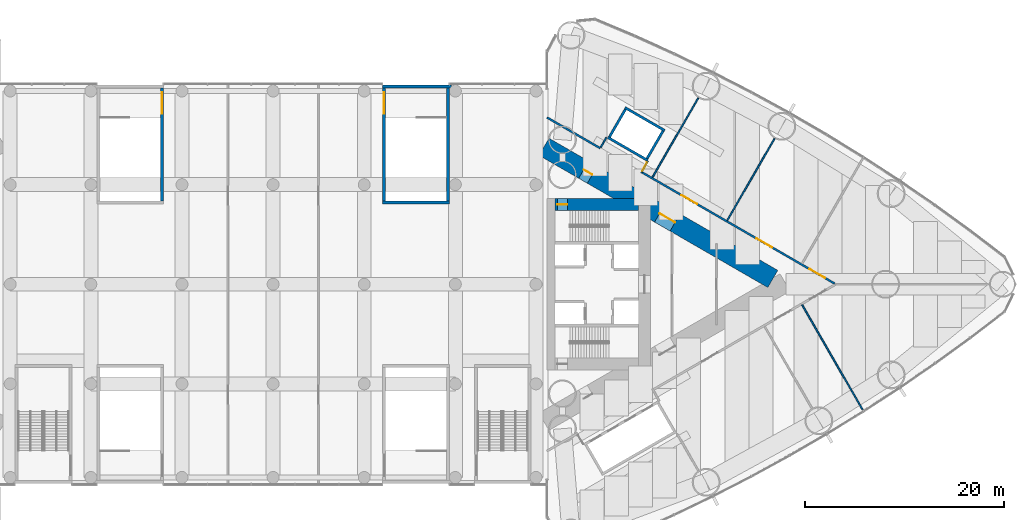
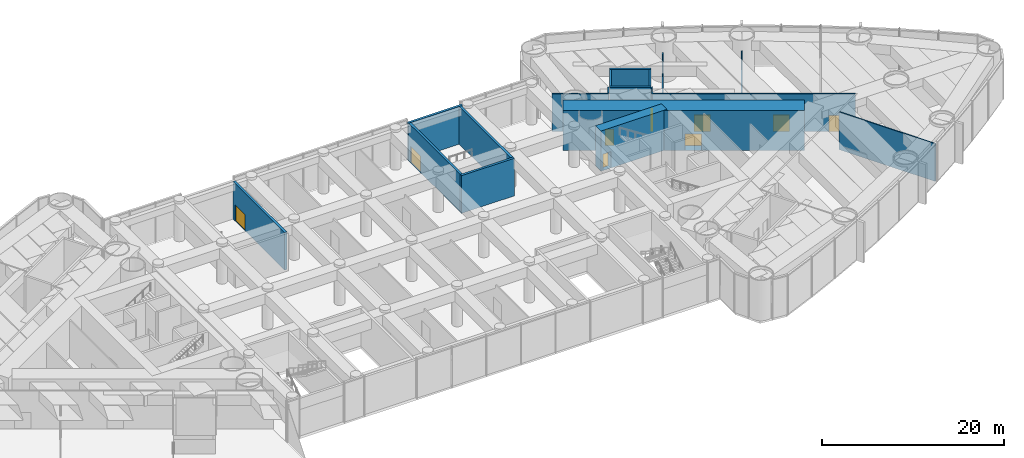
# One storey, part 18 of 20: 18 walls, 9 doors, 9 openings.
"""IFC4 building model written with IfcOpenShell, lengths in metres."""

from ifc_helpers import new_model, si_unit, direction, frame, frame_2d, origin, place, context, subcontext, project, spatial, rectangle, extrude, material, layer, layer_set, type_object, element, fill, save


model = new_model("IFC4")

# Units and contexts
model_context = context("Model", 3, precision=1e-05, world=origin(), true_north=direction((0.0, 1.0)))
body_context = subcontext(model_context, "Body", "Model", "MODEL_VIEW")
ifc_project = project(units=[si_unit("LENGTHUNIT", "METRE"), si_unit("AREAUNIT", "SQUARE_METRE"), si_unit("VOLUMEUNIT", "CUBIC_METRE"), si_unit("PLANEANGLEUNIT", "RADIAN"), si_unit("MASSUNIT", "GRAM", prefix="KILO")], contexts=[model_context])

# Site, building, storey
site_placement = place(None, origin())
site = spatial("IfcSite", under=ifc_project, at=site_placement, CompositionType="ELEMENT")
building_placement = place(site_placement, origin())
building = spatial("IfcBuilding", under=site, at=building_placement, Name="Lancet Gate Hotel", CompositionType="ELEMENT")
storey_placement = place(building_placement, frame((0.0, 0.0, 7.199951171875)))
storey = spatial("IfcBuildingStorey", under=building, at=storey_placement, Name="L01", CompositionType="ELEMENT", Elevation=7.199951171875)

# Wall, openings, doors
ifc_material_1 = material(Name="Concrete C70/85", Category="concrete")
ifc_layer_1 = layer(ifc_material_1, 2.0)
ifc_layer_set_1 = layer_set([ifc_layer_1], Name="Buttress wall 2000")
wall_type_1 = type_object("IfcWallType", Name="Buttress wall 2000", PredefinedType="SHEAR", material=ifc_layer_set_1)
wall_1_placement = place(storey_placement, frame((27.199951171875, 13.800048828125, 0.0), z_axis=(0.0, 0.0, 1.0), x_axis=(0.866024545924, -0.500001485854, 0.0)))
wall_1 = element("IfcWall", 1, at=wall_1_placement, inside=storey, type_object=wall_type_1, Name="T2 buttress wall N L01", PredefinedType="SHEAR", context=body_context, shape_type="SweptSolid", body=[
    extrude(rectangle(XDim=26.53369140625, YDim=2.0, at=frame_2d((13.266845703125, 0.0))), origin(), (0.0, 0.0, 1.0), 5.400146484375),
])
opening_1_placement = place(wall_1_placement, frame((4.60009765625, 0.0, 0.0)))
opening_1 = element("IfcOpeningElement", 2, at=opening_1_placement, cuts=wall_1, Name="Opening T2-L01-LN", PredefinedType="OPENING", context=body_context, shape_type="SweptSolid", body=[
    extrude(rectangle(XDim=1.0, YDim=2.199951171875, at=frame_2d((0.5, 1.10009765625))), frame((0.0, 1.010009765625, 0.0), z_axis=(0.0, -1.0, 0.0), x_axis=(1.0, 0.0, 0.0)), (0.0, 0.0, 1.0), 2.02001953125),
])
opening_2_placement = place(wall_1_placement, frame((13.39453125, 0.0, 0.0)))
opening_2 = element("IfcOpeningElement", 3, at=opening_2_placement, cuts=wall_1, Name="Opening T2-L01-LHN", PredefinedType="OPENING", context=body_context, shape_type="SweptSolid", body=[
    extrude(rectangle(XDim=1.800048828125, YDim=2.199951171875, at=frame_2d((0.89990234375, 1.10009765625))), frame((0.0, 1.010009765625, 0.0), z_axis=(0.0, -1.0, 0.0), x_axis=(1.0, 0.0, 0.0)), (0.0, 0.0, 1.0), 2.02001953125),
])
ifc_material_2 = material(Name="Timber door set", Category="wood")
door_type_1 = type_object("IfcDoorType", Name="Lobby double door 1800", OperationType="DOUBLE_DOOR_SINGLE_SWING", PredefinedType="DOOR", material=ifc_material_2)
door_1_placement = place(opening_2_placement, origin())
door_1 = element("IfcDoor", 4, at=door_1_placement, inside=storey, type_object=door_type_1, Name="T2-L01-LHN", OperationType="DOUBLE_DOOR_SINGLE_SWING", OverallHeight=2.199951171875, OverallWidth=1.800048828125, PredefinedType="DOOR", context=body_context, shape_type="SweptSolid", body=[
    extrude(rectangle(XDim=1.800048828125, YDim=2.199951171875, at=frame_2d((0.89990234375, 1.10009765625))), frame((0.0, 0.02490234375, 0.0), z_axis=(0.0, -1.0, 0.0), x_axis=(1.0, 0.0, 0.0)), (0.0, 0.0, 1.0), 0.050048828125),
])
fill(opening_2, door_1)
ifc_material_3 = material(Name="Timber door set", Category="wood")
door_type_2 = type_object("IfcDoorType", Name="Stair lobby door 1000", OperationType="SINGLE_SWING_LEFT", PredefinedType="DOOR", material=ifc_material_3)
door_2_placement = place(opening_1_placement, origin())
door_2 = element("IfcDoor", 5, at=door_2_placement, inside=storey, type_object=door_type_2, Name="T2-L01-LN", OperationType="SINGLE_SWING_LEFT", OverallHeight=2.199951171875, OverallWidth=1.0, PredefinedType="DOOR", context=body_context, shape_type="SweptSolid", body=[
    extrude(rectangle(XDim=1.0, YDim=2.199951171875, at=frame_2d((0.5, 1.10009765625))), frame((0.0, 0.02490234375, 0.0), z_axis=(0.0, -1.0, 0.0), x_axis=(1.0, 0.0, 0.0)), (0.0, 0.0, 1.0), 0.050048828125),
])
fill(opening_1, door_2)

# Wall, opening, door
ifc_material_4 = material(Name="Concrete C70/85", Category="concrete")
ifc_layer_2 = layer(ifc_material_4, 1.199951171875)
ifc_layer_set_2 = layer_set([ifc_layer_2], Name="Core wall 1200")
wall_type_2 = type_object("IfcWallType", Name="Core wall 1200", PredefinedType="SHEAR", material=ifc_layer_set_2)
wall_2_placement = place(storey_placement, frame((28.300048828125, 8.0, 0.0), z_axis=(0.0, 0.0, 1.0), x_axis=(1.0, 0.0, 0.0)))
wall_2 = element("IfcWall", 6, at=wall_2_placement, inside=storey, type_object=wall_type_2, Name="T2 core wall side-N L01", PredefinedType="SHEAR", context=body_context, shape_type="SweptSolid", body=[
    extrude(rectangle(XDim=8.39990234375, YDim=1.199951171875, at=frame_2d((4.199951171875, 0.0))), origin(), (0.0, 0.0, 1.0), 5.400146484375),
])
opening_3_placement = place(wall_2_placement, frame((0.25, 0.0, 0.0)))
opening_3 = element("IfcOpeningElement", 7, at=opening_3_placement, cuts=wall_2, Name="Opening T2-L01-ST2", PredefinedType="OPENING", context=body_context, shape_type="SweptSolid", body=[
    extrude(rectangle(XDim=1.0, YDim=2.199951171875, at=frame_2d((0.5, 1.10009765625))), frame((0.0, 0.60986328125, 0.0), z_axis=(0.0, -1.0, 0.0), x_axis=(1.0, 0.0, 0.0)), (0.0, 0.0, 1.0), 1.219970703125),
])
ifc_material_5 = material(Name="Timber door set", Category="wood")
door_type_3 = type_object("IfcDoorType", Name="Stair door 1000", OperationType="SINGLE_SWING_RIGHT", PredefinedType="DOOR", material=ifc_material_5)
door_3_placement = place(opening_3_placement, origin())
door_3 = element("IfcDoor", 8, at=door_3_placement, inside=storey, type_object=door_type_3, Name="T2-L01-ST2", OperationType="SINGLE_SWING_RIGHT", OverallHeight=2.199951171875, OverallWidth=1.0, PredefinedType="DOOR", context=body_context, shape_type="SweptSolid", body=[
    extrude(rectangle(XDim=1.0, YDim=2.199951171875, at=frame_2d((0.5, 1.10009765625))), frame((0.0, 0.02490234375, 0.0), z_axis=(0.0, -1.0, 0.0), x_axis=(1.0, 0.0, 0.0)), (0.0, 0.0, 1.0), 0.050048828125),
])
fill(opening_3, door_3)

# Wall
ifc_material_6 = material(Name="Gypsum board partition")
ifc_layer_3 = layer(ifc_material_6, 0.199951171875)
ifc_layer_set_3 = layer_set([ifc_layer_3], Name="Corridor wall 200")
wall_type_3 = type_object("IfcWallType", Name="Corridor wall 200", PredefinedType="PARTITIONING", material=ifc_layer_set_3)
wall_3_placement = place(storey_placement, frame((27.5, 16.744384765625, 0.0), z_axis=(0.0, 0.0, 1.0), x_axis=(0.866035319247, -0.499982825521, 0.0)))
element("IfcWall", 9, at=wall_3_placement, inside=storey, type_object=wall_type_3, Name="T2 corridor wall 200 L01", PredefinedType="PARTITIONING", context=body_context, shape_type="SweptSolid", body=[
    extrude(rectangle(XDim=6.168701171875, YDim=0.199951171875, at=frame_2d((3.08447265625, 0.0))), origin(), (0.0, 0.0, 1.0), 5.050048828125),
])

# Wall, openings, doors
wall_4_placement = place(storey_placement, frame((37.033935546875, 11.239990234375, 0.0), z_axis=(0.0, 0.0, 1.0), x_axis=(0.866025942536, -0.499999066854, 0.0)))
wall_4 = element("IfcWall", 10, at=wall_4_placement, inside=storey, type_object=wall_type_3, Name="T2 corridor wall 200 L01", PredefinedType="PARTITIONING", context=body_context, shape_type="SweptSolid", body=[
    extrude(rectangle(XDim=22.35986328125, YDim=0.199951171875, at=frame_2d((11.179931640625, 0.0))), origin(), (0.0, 0.0, 1.0), 5.050048828125),
])
opening_4_placement = place(wall_4_placement, frame((19.4228515625, 0.0, 0.0)))
opening_4 = element("IfcOpeningElement", 11, at=opening_4_placement, cuts=wall_4, Name="Opening T2-L01-P105", PredefinedType="OPENING", context=body_context, shape_type="SweptSolid", body=[
    extrude(rectangle(XDim=1.800048828125, YDim=2.199951171875, at=frame_2d((0.89990234375, 1.10009765625))), frame((0.0, 0.10986328125, 0.0), z_axis=(0.0, -1.0, 0.0), x_axis=(1.0, 0.0, 0.0)), (0.0, 0.0, 1.0), 0.219970703125),
])
opening_5_placement = place(wall_4_placement, frame((13.273681640625, 0.0, 0.0)))
opening_5 = element("IfcOpeningElement", 12, at=opening_5_placement, cuts=wall_4, Name="Opening T2-L01-P106", PredefinedType="OPENING", context=body_context, shape_type="SweptSolid", body=[
    extrude(rectangle(XDim=1.800048828125, YDim=2.199951171875, at=frame_2d((0.89990234375, 1.10009765625))), frame((0.0, 0.10986328125, 0.0), z_axis=(0.0, -1.0, 0.0), x_axis=(1.0, 0.0, 0.0)), (0.0, 0.0, 1.0), 0.219970703125),
])
opening_6_placement = place(wall_4_placement, frame((4.60205078125, 0.0, 0.0)))
opening_6 = element("IfcOpeningElement", 13, at=opening_6_placement, cuts=wall_4, Name="Opening T2-L01-P107", PredefinedType="OPENING", context=body_context, shape_type="SweptSolid", body=[
    extrude(rectangle(XDim=1.800048828125, YDim=2.199951171875, at=frame_2d((0.89990234375, 1.10009765625))), frame((0.0, 0.10986328125, 0.0), z_axis=(0.0, -1.0, 0.0), x_axis=(1.0, 0.0, 0.0)), (0.0, 0.0, 1.0), 0.219970703125),
])
ifc_material_7 = material(Name="Timber door set", Category="wood")
door_type_4 = type_object("IfcDoorType", Name="Double door 1800", OperationType="DOUBLE_DOOR_SINGLE_SWING", PredefinedType="DOOR", material=ifc_material_7)
door_4_placement = place(opening_4_placement, origin())
door_4 = element("IfcDoor", 14, at=door_4_placement, inside=storey, type_object=door_type_4, Name="T2-L01-P105", OperationType="DOUBLE_DOOR_SINGLE_SWING", OverallHeight=2.199951171875, OverallWidth=1.800048828125, PredefinedType="DOOR", context=body_context, shape_type="SweptSolid", body=[
    extrude(rectangle(XDim=1.800048828125, YDim=2.199951171875, at=frame_2d((0.89990234375, 1.10009765625))), frame((0.0, 0.02490234375, 0.0), z_axis=(0.0, -1.0, 0.0), x_axis=(1.0, 0.0, 0.0)), (0.0, 0.0, 1.0), 0.050048828125),
])
fill(opening_4, door_4)
door_5_placement = place(opening_5_placement, origin())
door_5 = element("IfcDoor", 15, at=door_5_placement, inside=storey, type_object=door_type_4, Name="T2-L01-P106", OperationType="DOUBLE_DOOR_SINGLE_SWING", OverallHeight=2.199951171875, OverallWidth=1.800048828125, PredefinedType="DOOR", context=body_context, shape_type="SweptSolid", body=[
    extrude(rectangle(XDim=1.800048828125, YDim=2.199951171875, at=frame_2d((0.89990234375, 1.10009765625))), frame((0.0, 0.02490234375, 0.0), z_axis=(0.0, -1.0, 0.0), x_axis=(1.0, 0.0, 0.0)), (0.0, 0.0, 1.0), 0.050048828125),
])
fill(opening_5, door_5)
door_6_placement = place(opening_6_placement, origin())
door_6 = element("IfcDoor", 16, at=door_6_placement, inside=storey, type_object=door_type_4, Name="T2-L01-P107", OperationType="DOUBLE_DOOR_SINGLE_SWING", OverallHeight=2.199951171875, OverallWidth=1.800048828125, PredefinedType="DOOR", context=body_context, shape_type="SweptSolid", body=[
    extrude(rectangle(XDim=1.800048828125, YDim=2.199951171875, at=frame_2d((0.89990234375, 1.10009765625))), frame((0.0, 0.02490234375, 0.0), z_axis=(0.0, -1.0, 0.0), x_axis=(1.0, 0.0, 0.0)), (0.0, 0.0, 1.0), 0.050048828125),
])
fill(opening_6, door_6)

# Walls
ifc_material_8 = material(Name="Gypsum board partition")
ifc_layer_4 = layer(ifc_material_8, 0.25)
ifc_layer_set_4 = layer_set([ifc_layer_4], Name="Lift shaft partition 250")
wall_type_4 = type_object("IfcWallType", Name="Lift shaft partition 250", PredefinedType="PARTITIONING", material=ifc_layer_set_4)
for number, where, z_axis, x_axis, name in (
    (17, (33.6083984375, 14.747314453125, 0.0), (0.0, 0.0, 1.0), (0.866043305498, -0.49996899204, 0.0), "T2 lift shaft wall EX L01"),
    (18, (35.33349609375, 17.73583984375, 0.0), (0.0, 0.0, 1.0), (0.866043305498, -0.49996899204, 0.0), "T2 lift shaft wall EX L01"),
):
    element("IfcWall", number, at=place(storey_placement, frame(where, z_axis=z_axis, x_axis=x_axis)), inside=storey, type_object=wall_type_4, Name=name, PredefinedType="PARTITIONING", context=body_context, shape_type="SweptSolid", body=[
        extrude(rectangle(XDim=4.600341796875, YDim=0.25, at=frame_2d((2.30029296875, 0.0))), origin(), (0.0, 0.0, 1.0), 5.050048828125),
    ])
for number, where, z_axis, x_axis, name in (
    (19, (33.779296875, 14.79296875, 0.0), (0.0, 0.0, 1.0), (0.499929347863, 0.866066190972, 0.0), "T2 lift shaft wall EX L01"),
    (20, (37.546630859375, 12.617919921875, 0.0), (0.0, 0.0, 1.0), (0.499929347863, 0.866066190972, 0.0), "T2 lift shaft wall EX L01"),
):
    element("IfcWall", number, at=place(storey_placement, frame(where, z_axis=z_axis, x_axis=x_axis)), inside=storey, type_object=wall_type_4, Name=name, PredefinedType="PARTITIONING", context=body_context, shape_type="SweptSolid", body=[
        extrude(rectangle(XDim=3.20068359375, YDim=0.25, at=frame_2d((1.600341796875, 0.0))), origin(), (0.0, 0.0, 1.0), 5.050048828125),
    ])
ifc_material_9 = material(Name="Gypsum board partition")
ifc_layer_5 = layer(ifc_material_9, 0.14990234375)
ifc_layer_set_5 = layer_set([ifc_layer_5], Name="Party wall 150")
wall_type_5 = type_object("IfcWallType", Name="Party wall 150", PredefinedType="PARTITIONING", material=ifc_layer_set_5)
wall_5_placement = place(storey_placement, frame((53.11474609375, -2.0712890625, 0.0), z_axis=(0.0, 0.0, 1.0), x_axis=(0.500000975677, -0.866024840476, 0.0)))
element("IfcWall", 21, at=wall_5_placement, inside=storey, type_object=wall_type_5, Name="T2 party wall 150 L01", PredefinedType="PARTITIONING", context=body_context, shape_type="SweptSolid", body=[
    extrude(rectangle(XDim=12.19091796875, YDim=0.14990234375, at=frame_2d((6.095458984375, 0.0))), origin(), (0.0, 0.0, 1.0), 5.050048828125),
])
wall_6_placement = place(storey_placement, frame((38.09521484375, 10.74267578125, 0.0), z_axis=(0.0, 0.0, 1.0), x_axis=(0.499989105942, 0.866031693381, 0.0)))
element("IfcWall", 22, at=wall_6_placement, inside=storey, type_object=wall_type_5, Name="T2 party wall 150 L01", PredefinedType="PARTITIONING", context=body_context, shape_type="SweptSolid", body=[
    extrude(rectangle(XDim=9.193603515625, YDim=0.14990234375, at=frame_2d((4.5966796875, 0.0))), origin(), (0.0, 0.0, 1.0), 4.050048828125),
])
wall_7_placement = place(storey_placement, frame((45.60302734375, 6.408203125, 0.0), z_axis=(0.0, 0.0, 1.0), x_axis=(0.499999740363, 0.866025553686, 0.0)))
element("IfcWall", 23, at=wall_7_placement, inside=storey, type_object=wall_type_5, Name="T2 party wall 150 L01", PredefinedType="PARTITIONING", context=body_context, shape_type="SweptSolid", body=[
    extrude(rectangle(XDim=9.50146484375, YDim=0.14990234375, at=frame_2d((4.750732421875, 0.0))), origin(), (0.0, 0.0, 1.0), 4.050048828125),
])
ifc_material_10 = material(Name="Dense concrete blockwork", Category="masonry")
ifc_layer_6 = layer(ifc_material_10, 0.300048828125)
ifc_layer_set_6 = layer_set([ifc_layer_6], Name="Podium stair enclosure wall 300")
wall_type_6 = type_object("IfcWallType", Name="Podium stair enclosure wall 300", PredefinedType="SOLIDWALL", material=ifc_layer_set_6)
wall_8_placement = place(storey_placement, frame((11.0, 19.85009765625, 0.0), z_axis=(0.0, 0.0, 1.0), x_axis=(1.0, 0.0, 0.0)))
element("IfcWall", 24, at=wall_8_placement, inside=storey, type_object=wall_type_6, Name="Podium stair PS2 encl wall outer L01", PredefinedType="SOLIDWALL", context=body_context, shape_type="SweptSolid", body=[
    extrude(rectangle(XDim=6.903076171875, YDim=0.300048828125, at=frame_2d((3.45166015625, 0.0))), origin(), (0.0, 0.0, 1.0), 5.050048828125),
])
wall_9_placement = place(storey_placement, frame((11.0, 8.22998046875, 0.0), z_axis=(0.0, 0.0, 1.0), x_axis=(1.0, 0.0, 0.0)))
element("IfcWall", 25, at=wall_9_placement, inside=storey, type_object=wall_type_6, Name="Podium stair PS2 encl wall inner L01", PredefinedType="SOLIDWALL", context=body_context, shape_type="SweptSolid", body=[
    extrude(rectangle(XDim=6.699951171875, YDim=0.300048828125, at=frame_2d((3.35009765625, 0.0))), origin(), (0.0, 0.0, 1.0), 5.050048828125),
])

# Wall, opening, door
wall_10_placement = place(storey_placement, frame((11.14990234375, 8.3798828125, 0.0), z_axis=(0.0, 0.0, 1.0), x_axis=(0.0, 1.0, 0.0)))
wall_10 = element("IfcWall", 26, at=wall_10_placement, inside=storey, type_object=wall_type_6, Name="Podium stair PS2 encl wall near L01", PredefinedType="SOLIDWALL", context=body_context, shape_type="SweptSolid", body=[
    extrude(rectangle(XDim=11.320068359375, YDim=0.300048828125, at=frame_2d((5.66015625, 0.0))), origin(), (0.0, 0.0, 1.0), 5.050048828125),
])
opening_7_placement = place(wall_10_placement, frame((8.719970703125, 0.0, 0.0)))
opening_7 = element("IfcOpeningElement", 27, at=opening_7_placement, cuts=wall_10, Name="Opening POD-L01-PS2", PredefinedType="OPENING", context=body_context, shape_type="SweptSolid", body=[
    extrude(rectangle(XDim=2.199951171875, YDim=2.199951171875, at=frame_2d((1.10009765625, 1.10009765625))), frame((0.0, 0.159912109375, 0.0), z_axis=(0.0, -1.0, 0.0), x_axis=(1.0, 0.0, 0.0)), (0.0, 0.0, 1.0), 0.320068359375),
])
ifc_material_11 = material(Name="Timber door set", Category="wood")
door_type_5 = type_object("IfcDoorType", Name="Stair double door 2200", OperationType="DOUBLE_DOOR_SINGLE_SWING", PredefinedType="DOOR", material=ifc_material_11)
door_7_placement = place(opening_7_placement, origin())
door_7 = element("IfcDoor", 28, at=door_7_placement, inside=storey, type_object=door_type_5, Name="POD-L01-PS2", OperationType="DOUBLE_DOOR_SINGLE_SWING", OverallHeight=2.199951171875, OverallWidth=2.199951171875, PredefinedType="DOOR", context=body_context, shape_type="SweptSolid", body=[
    extrude(rectangle(XDim=2.199951171875, YDim=2.199951171875, at=frame_2d((1.10009765625, 1.10009765625))), frame((0.0, 0.02490234375, 0.0), z_axis=(0.0, -1.0, 0.0), x_axis=(1.0, 0.0, 0.0)), (0.0, 0.0, 1.0), 0.050048828125),
])
fill(opening_7, door_7)

# Wall
wall_11_placement = place(storey_placement, frame((17.550048828125, 8.3798828125, 0.0), z_axis=(0.0, 0.0, 1.0), x_axis=(0.0, 1.0, 0.0)))
element("IfcWall", 29, at=wall_11_placement, inside=storey, type_object=wall_type_6, Name="Podium stair PS2 encl wall far L01", PredefinedType="SOLIDWALL", context=body_context, shape_type="SweptSolid", body=[
    extrude(rectangle(XDim=11.320068359375, YDim=0.300048828125, at=frame_2d((5.66015625, 0.0))), origin(), (0.0, 0.0, 1.0), 5.050048828125),
])

# Wall, opening, door
wall_12_placement = place(storey_placement, frame((-11.14990234375, 8.3798828125, 0.0), z_axis=(0.0, 0.0, 1.0), x_axis=(0.0, 1.0, 0.0)))
wall_12 = element("IfcWall", 30, at=wall_12_placement, inside=storey, type_object=wall_type_6, Name="Podium stair PS4 encl wall near L01", PredefinedType="SOLIDWALL", context=body_context, shape_type="SweptSolid", body=[
    extrude(rectangle(XDim=11.320068359375, YDim=0.300048828125, at=frame_2d((5.66015625, 0.0))), origin(), (0.0, 0.0, 1.0), 5.050048828125),
])
opening_8_placement = place(wall_12_placement, frame((8.719970703125, 0.0, 0.0)))
opening_8 = element("IfcOpeningElement", 31, at=opening_8_placement, cuts=wall_12, Name="Opening POD-L01-PS4", PredefinedType="OPENING", context=body_context, shape_type="SweptSolid", body=[
    extrude(rectangle(XDim=2.199951171875, YDim=2.199951171875, at=frame_2d((1.10009765625, 1.10009765625))), frame((0.0, 0.159912109375, 0.0), z_axis=(0.0, -1.0, 0.0), x_axis=(1.0, 0.0, 0.0)), (0.0, 0.0, 1.0), 0.320068359375),
])
door_8_placement = place(opening_8_placement, origin())
door_8 = element("IfcDoor", 32, at=door_8_placement, inside=storey, type_object=door_type_5, Name="POD-L01-PS4", OperationType="DOUBLE_DOOR_SINGLE_SWING", OverallHeight=2.199951171875, OverallWidth=2.199951171875, PredefinedType="DOOR", context=body_context, shape_type="SweptSolid", body=[
    extrude(rectangle(XDim=2.199951171875, YDim=2.199951171875, at=frame_2d((1.10009765625, 1.10009765625))), frame((0.0, 0.02490234375, 0.0), z_axis=(0.0, -1.0, 0.0), x_axis=(1.0, 0.0, 0.0)), (0.0, 0.0, 1.0), 0.050048828125),
])
fill(opening_8, door_8)

ifc_material_12 = material(Name="Gypsum board partition")
ifc_layer_7 = layer(ifc_material_12, 0.14990234375)
ifc_layer_set_7 = layer_set([ifc_layer_7], Name="Service room wall 150")
wall_type_7 = type_object("IfcWallType", Name="Service room wall 150", PredefinedType="PARTITIONING", material=ifc_layer_set_7)
wall_13_placement = place(storey_placement, frame((36.970947265625, 11.160888671875, 0.0), z_axis=(0.0, 0.0, 1.0), x_axis=(0.481491794093, 0.876450598848, 0.0)))
wall_13 = element("IfcWall", 33, at=wall_13_placement, inside=storey, type_object=wall_type_7, Name="T2 service room wall 150 L01", PredefinedType="PARTITIONING", context=body_context, shape_type="SweptSolid", body=[
    extrude(rectangle(XDim=1.405029296875, YDim=0.14990234375, at=frame_2d((0.70263671875, 0.0))), origin(), (0.0, 0.0, 1.0), 5.050048828125),
])
opening_9_placement = place(wall_13_placement, frame((0.20263671875, 0.0, 0.0)))
opening_9 = element("IfcOpeningElement", 34, at=opening_9_placement, cuts=wall_13, Name="Opening T2-L01-P108", PredefinedType="OPENING", context=body_context, shape_type="SweptSolid", body=[
    extrude(rectangle(XDim=1.0, YDim=2.199951171875, at=frame_2d((0.5, 1.10009765625))), frame((0.0, 0.0849609375, 0.0), z_axis=(0.0, -1.0, 0.0), x_axis=(1.0, 0.0, 0.0)), (0.0, 0.0, 1.0), 0.169921875),
])
ifc_material_13 = material(Name="Timber door set", Category="wood")
door_type_6 = type_object("IfcDoorType", Name="Service door 1000", OperationType="SINGLE_SWING_LEFT", PredefinedType="DOOR", material=ifc_material_13)
door_9_placement = place(opening_9_placement, origin())
door_9 = element("IfcDoor", 35, at=door_9_placement, inside=storey, type_object=door_type_6, Name="T2-L01-P108", OperationType="SINGLE_SWING_LEFT", OverallHeight=2.199951171875, OverallWidth=1.0, PredefinedType="DOOR", context=body_context, shape_type="SweptSolid", body=[
    extrude(rectangle(XDim=1.0, YDim=2.199951171875, at=frame_2d((0.5, 1.10009765625))), frame((0.0, 0.02490234375, 0.0), z_axis=(0.0, -1.0, 0.0), x_axis=(1.0, 0.0, 0.0)), (0.0, 0.0, 1.0), 0.050048828125),
])
fill(opening_9, door_9)

# Wall
wall_14_placement = place(storey_placement, frame((32.892333984375, 13.74658203125, 0.0), z_axis=(0.0, 0.0, 1.0), x_axis=(0.499928262689, 0.866066817379, 0.0)))
element("IfcWall", 36, at=wall_14_placement, inside=storey, type_object=wall_type_7, Name="T2 service room wall 150 L01", PredefinedType="PARTITIONING", context=body_context, shape_type="SweptSolid", body=[
    extrude(rectangle(XDim=1.129638671875, YDim=0.14990234375, at=frame_2d((0.56494140625, 0.0))), origin(), (0.0, 0.0, 1.0), 5.050048828125),
])

save(model, "model.ifc")
